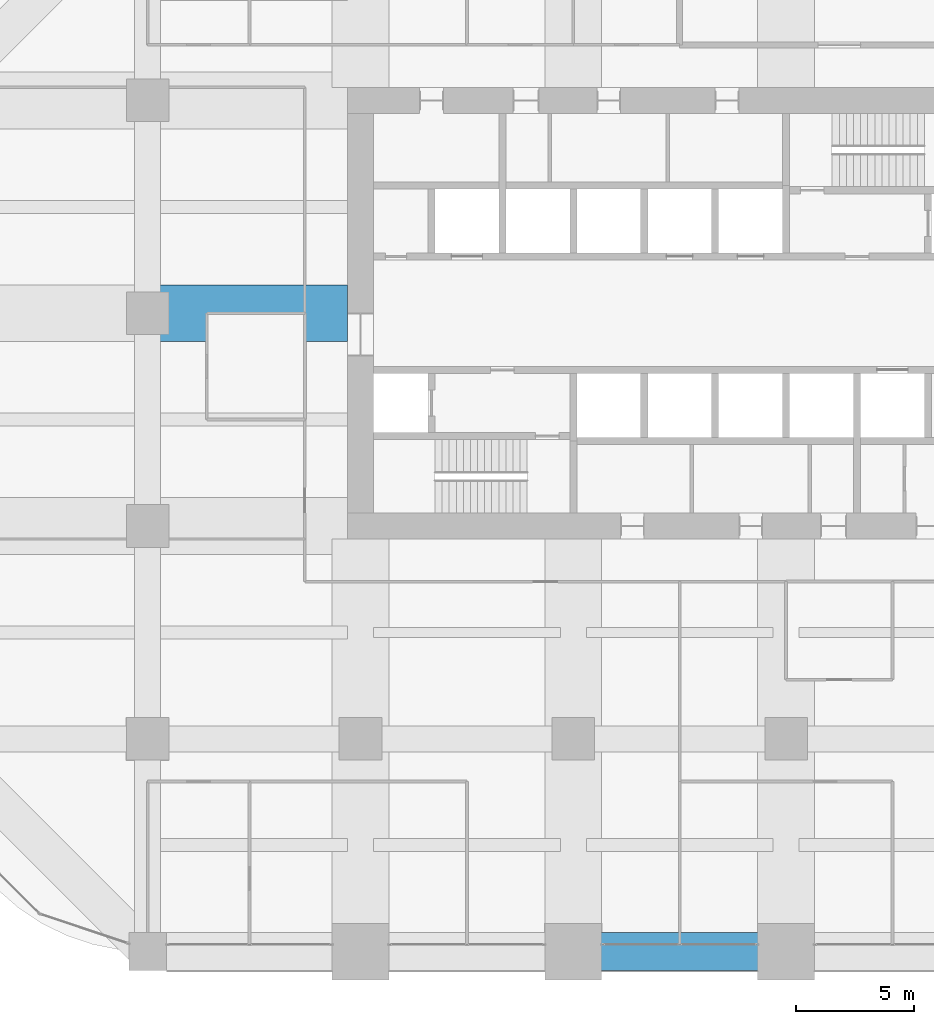
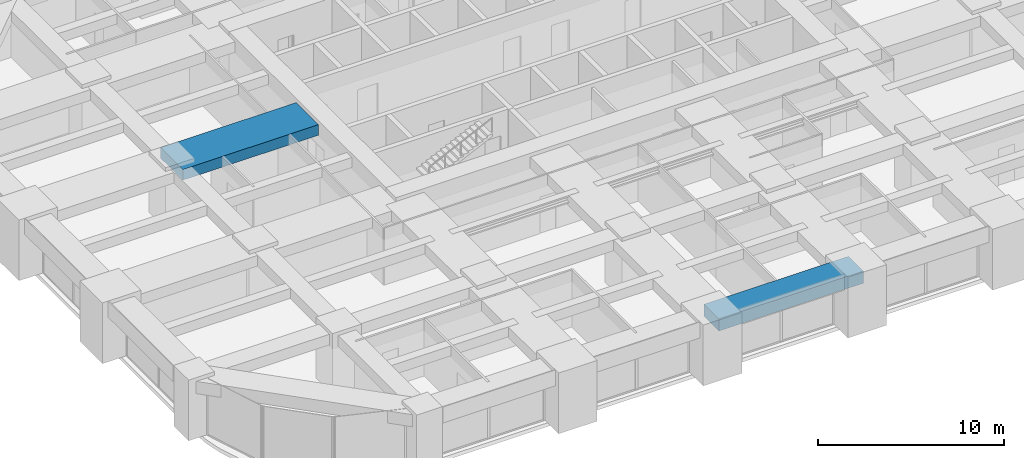
# One storey, part 12 of 42: 2 beams.
"""IFC4 building model written with IfcOpenShell, lengths in metres."""

from ifc_helpers import new_model, si_unit, direction, frame, origin, origin_2d, place, context, subcontext, project, spatial, rectangle, extrude, material, material_profile, profile_set, type_object, element, save


model = new_model("IFC4")

# Units and contexts
model_context = context("Model", 3, precision=1e-05, world=origin(), true_north=direction((0.0, 1.0)))
body_context = subcontext(model_context, "Body", "Model", "MODEL_VIEW")
ifc_project = project(units=[si_unit("LENGTHUNIT", "METRE"), si_unit("AREAUNIT", "SQUARE_METRE"), si_unit("VOLUMEUNIT", "CUBIC_METRE"), si_unit("PLANEANGLEUNIT", "RADIAN"), si_unit("MASSUNIT", "GRAM", prefix="KILO")], contexts=[model_context])

# Site, building, storey
site_placement = place(None, origin())
site = spatial("IfcSite", under=ifc_project, at=site_placement, CompositionType="ELEMENT")
building_placement = place(site_placement, origin())
building = spatial("IfcBuilding", under=site, at=building_placement, Name="Zorevar Civic Tower", CompositionType="ELEMENT")
storey_placement = place(building_placement, frame((0.0, 0.0, 149.0)))
storey = spatial("IfcBuildingStorey", under=building, at=storey_placement, Name="L36", CompositionType="ELEMENT", Elevation=149.0)

# Beams
ifc_material_1 = material(Name="Concrete C50/60", Category="concrete")
ifc_material_profile_1 = material_profile(ifc_material_1, rectangle(XDim=2.39990234375, YDim=0.699951171875, at=origin_2d()), Name="RC 2400x700")
ifc_profile_set_1 = profile_set([ifc_material_profile_1], Name="Concrete C50/60")
beam_type_1 = type_object("IfcBeamType", Name="Beam RC 2400x700", PredefinedType="BEAM", material=ifc_profile_set_1)
beam_1_placement = place(storey_placement, frame((9.0, 27.0, 3.39990234375), z_axis=(1.0, 0.0, 0.0), x_axis=(0.0, 1.0, 0.0)))
element("IfcBeam", 1, at=beam_1_placement, inside=storey, type_object=beam_type_1, Name="Girder L37", PredefinedType="BEAM", context=body_context, shape_type="SweptSolid", body=[
    extrude(rectangle(XDim=2.39990234375, YDim=0.699951171875, at=origin_2d()), origin(), (0.0, 0.0, 1.0), 8.449951171875),
])
ifc_material_2 = material(Name="Concrete C50/60", Category="concrete")
ifc_material_profile_2 = material_profile(ifc_material_2, rectangle(XDim=1.60009765625, YDim=0.800048828125, at=origin_2d()), Name="RC 1600x800")
ifc_profile_set_2 = profile_set([ifc_material_profile_2], Name="Concrete C50/60")
beam_type_2 = type_object("IfcBeamType", Name="Edge beam RC 1600x800", PredefinedType="SPANDREL", material=ifc_profile_set_2)
beam_2_placement = place(storey_placement, frame((27.0, 0.0, 3.35009765625), z_axis=(1.0, 0.0, 0.0), x_axis=(0.0, 1.0, 0.0)))
element("IfcBeam", 2, at=beam_2_placement, inside=storey, type_object=beam_type_2, Name="Edge beam L37", PredefinedType="SPANDREL", context=body_context, shape_type="SweptSolid", body=[
    extrude(rectangle(XDim=1.60009765625, YDim=0.800048828125, at=origin_2d()), origin(), (0.0, 0.0, 1.0), 9.0),
])

save(model, "model.ifc")
